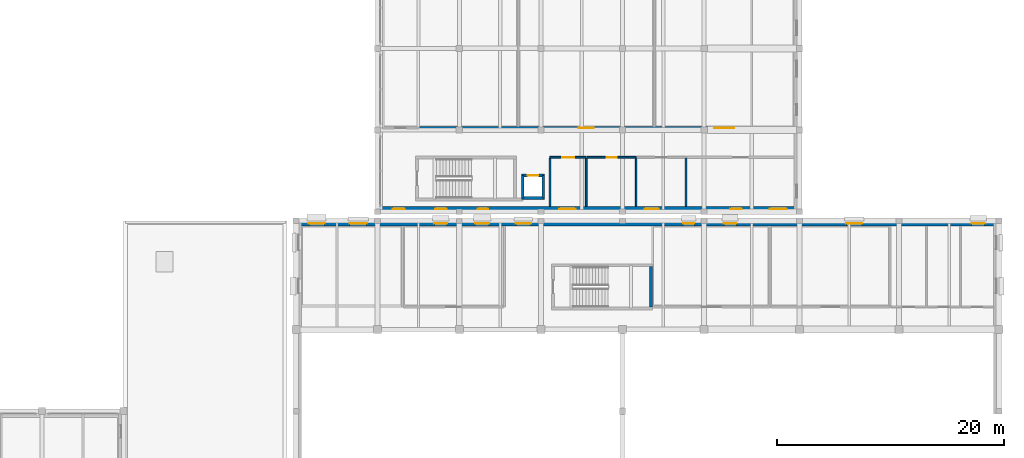
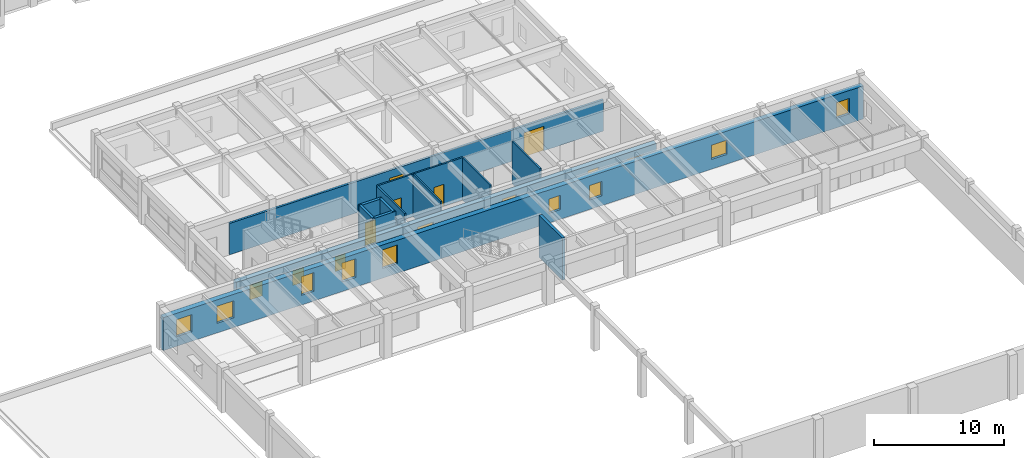
# One storey, part 53 of 67: 16 windows, 14 walls, 5 doors, 21 openings.
"""IFC4 building model written with IfcOpenShell, lengths in metres."""

from ifc_helpers import new_model, si_unit, direction, frame, frame_2d, origin, place, context, subcontext, project, spatial, rectangle, extrude, material, layer, layer_set, type_object, element, fill, save


model = new_model("IFC4")

# Units and contexts
model_context = context("Model", 3, precision=1e-05, world=origin(), true_north=direction((0.0, 1.0)))
body_context = subcontext(model_context, "Body", "Model", "MODEL_VIEW")
ifc_project = project(units=[si_unit("LENGTHUNIT", "METRE"), si_unit("AREAUNIT", "SQUARE_METRE"), si_unit("VOLUMEUNIT", "CUBIC_METRE"), si_unit("PLANEANGLEUNIT", "RADIAN"), si_unit("MASSUNIT", "GRAM", prefix="KILO")], contexts=[model_context])

# Site, building, storey
site_placement = place(None, origin())
site = spatial("IfcSite", under=ifc_project, at=site_placement, CompositionType="ELEMENT")
building_placement = place(site_placement, origin())
building = spatial("IfcBuilding", under=site, at=building_placement, Name="Bramveld Media Centre", CompositionType="ELEMENT")
storey_placement = place(building_placement, frame((0.0, 0.0, 5.39990234375)))
storey = spatial("IfcBuildingStorey", under=building, at=storey_placement, Name="L01", CompositionType="ELEMENT", Elevation=5.39990234375)

# Walls
ifc_material_1 = material(Name="Concrete C40/50 stair & lift core wall", Category="concrete")
ifc_layer_1 = layer(ifc_material_1, 0.25)
ifc_layer_set_1 = layer_set([ifc_layer_1], Name="Concrete C40/50 stair & lift core wall")
wall_type_1 = type_object("IfcWallType", Name="CWALL-SHEAR-250", PredefinedType="SHEAR", material=ifc_layer_set_1)
wall_1_placement = place(storey_placement, frame((155.324951171875, 30.800048828125, 0.0), z_axis=(0.0, 0.0, 1.0), x_axis=(0.0, 1.0, 0.0)))
element("IfcWall", 1, at=wall_1_placement, inside=storey, type_object=wall_type_1, Name="ST-03 L01 stair core shear wall E", PredefinedType="SHEAR", context=body_context, shape_type="SweptSolid", body=[
    extrude(rectangle(XDim=3.550048828125, YDim=0.25, at=frame_2d((1.77490234375, 0.0))), origin(), (0.0, 0.0, 1.0), 3.940185546875),
])
wall_2_placement = place(storey_placement, frame((143.875, 40.39990234375, 0.0), z_axis=(0.0, 0.0, 1.0), x_axis=(1.0, 0.0, 0.0)))
element("IfcWall", 2, at=wall_2_placement, inside=storey, type_object=wall_type_1, Name="PL-06 L01 lift shaft wall S", PredefinedType="SHEAR", context=body_context, shape_type="SweptSolid", body=[
    extrude(rectangle(XDim=2.050048828125, YDim=0.25, at=frame_2d((1.02490234375, 0.0))), origin(), (0.0, 0.0, 1.0), 3.960205078125),
])

# Wall, opening, door
wall_3_placement = place(storey_placement, frame((145.925048828125, 42.39990234375, 0.0), z_axis=(0.0, 0.0, 1.0), x_axis=(-1.0, 0.0, 0.0)))
wall_3 = element("IfcWall", 3, at=wall_3_placement, inside=storey, type_object=wall_type_1, Name="PL-06 L01 lift shaft wall N", PredefinedType="SHEAR", context=body_context, shape_type="SweptSolid", body=[
    extrude(rectangle(XDim=2.050048828125, YDim=0.25, at=frame_2d((1.02490234375, 0.0))), origin(), (0.0, 0.0, 1.0), 3.960205078125),
])
opening_1_placement = place(wall_3_placement, frame((0.550048828125, 0.0, 0.0)))
opening_1 = element("IfcOpeningElement", 4, at=opening_1_placement, cuts=wall_3, Name="Opening LD-03-06-L01", PredefinedType="OPENING", context=body_context, shape_type="SweptSolid", body=[
    extrude(rectangle(XDim=0.949951171875, YDim=2.10009765625, at=frame_2d((0.47509765625, 1.050048828125))), frame((0.0, 0.136962890625, 0.0), z_axis=(0.0, -1.0, 0.0), x_axis=(1.0, 0.0, 0.0)), (0.0, 0.0, 1.0), 0.27392578125),
])
ifc_material_2 = material(Name="Brushed stainless steel automatic fire-rated sliding lift landing door", Category="steel")
door_type_1 = type_object("IfcDoorType", Name="LD-TYPE-03", OperationType="SLIDING_TO_LEFT", PredefinedType="DOOR", material=ifc_material_2)
door_1_placement = place(opening_1_placement, origin())
door_1 = element("IfcDoor", 5, at=door_1_placement, inside=storey, type_object=door_type_1, Name="PL-06 L01 sliding lift landing door", OperationType="SLIDING_TO_LEFT", OverallHeight=2.10009765625, OverallWidth=0.949951171875, PredefinedType="DOOR", context=body_context, shape_type="SweptSolid", body=[
    extrude(rectangle(XDim=0.949951171875, YDim=2.10009765625, at=frame_2d((0.47509765625, 1.050048828125))), frame((0.0, 0.02490234375, 0.0), z_axis=(0.0, -1.0, 0.0), x_axis=(1.0, 0.0, 0.0)), (0.0, 0.0, 1.0), 0.050048828125),
])
fill(opening_1, door_1)

# Walls
for number, where, z_axis, x_axis, name in (
    (6, (144.0, 42.39990234375, 0.0), (0.0, 0.0, 1.0), (0.0, -1.0, 0.0), "PL-06 L01 lift shaft wall W"),
    (7, (145.800048828125, 40.39990234375, 0.0), (0.0, 0.0, 1.0), (0.0, 1.0, 0.0), "PL-06 L01 lift shaft wall E"),
):
    element("IfcWall", number, at=place(storey_placement, frame(where, z_axis=z_axis, x_axis=x_axis)), inside=storey, type_object=wall_type_1, Name=name, PredefinedType="SHEAR", context=body_context, shape_type="SweptSolid", body=[
        extrude(rectangle(XDim=2.0, YDim=0.25, at=frame_2d((1.0, 0.0))), origin(), (0.0, 0.0, 1.0), 3.960205078125),
    ])

# Wall, openings, windows
ifc_material_3 = material(Name="Flemish red-brown clay facing brick cavity wall with concrete C35/45 inner leaf", Category="masonry")
ifc_layer_2 = layer(ifc_material_3, 0.4599609375)
ifc_layer_set_2 = layer_set([ifc_layer_2], Name="Flemish red-brown clay facing brick cavity wall with concrete C35/45 inner leaf")
wall_type_2 = type_object("IfcWallType", Name="EW-BRK-460", PredefinedType="SOLIDWALL", material=ifc_layer_set_2)
wall_4_placement = place(storey_placement, frame((124.0, 38.169921875, 0.0), z_axis=(0.0, 0.0, 1.0), x_axis=(1.0, 0.0, 0.0)))
wall_4 = element("IfcWall", 8, at=wall_4_placement, inside=storey, type_object=wall_type_2, Name="V1 L01 N facing brick exterior wall", PredefinedType="SOLIDWALL", context=body_context, shape_type="SweptSolid", body=[
    extrude(rectangle(XDim=62.0, YDim=0.4599609375, at=frame_2d((31.0, 0.0))), origin(), (0.0, 0.0, 1.0), 3.09521484375),
])
opening_2_placement = place(wall_4_placement, frame((1.133544921875, 0.0, 0.89990234375)))
opening_2 = element("IfcOpeningElement", 9, at=opening_2_placement, cuts=wall_4, Name="Opening W-17", PredefinedType="OPENING", context=body_context, shape_type="SweptSolid", body=[
    extrude(rectangle(XDim=1.3798828125, YDim=1.60009765625, at=frame_2d((0.68994140625, 0.800048828125))), frame((0.0, 0.241943359375, 0.0), z_axis=(0.0, -1.0, 0.0), x_axis=(1.0, 0.0, 0.0)), (0.0, 0.0, 1.0), 0.48388671875),
])
opening_3_placement = place(wall_4_placement, frame((4.720703125, 0.0, 0.89990234375)))
opening_3 = element("IfcOpeningElement", 10, at=opening_3_placement, cuts=wall_4, Name="Opening W-18", PredefinedType="OPENING", context=body_context, shape_type="SweptSolid", body=[
    extrude(rectangle(XDim=1.5, YDim=1.60009765625, at=frame_2d((0.75, 0.800048828125))), frame((0.0, 0.241943359375, 0.0), z_axis=(0.0, -1.0, 0.0), x_axis=(1.0, 0.0, 0.0)), (0.0, 0.0, 1.0), 0.48388671875),
])
opening_4_placement = place(wall_4_placement, frame((12.20458984375, 0.0, 0.89990234375)))
opening_4 = element("IfcOpeningElement", 11, at=opening_4_placement, cuts=wall_4, Name="Opening W-20", PredefinedType="OPENING", context=body_context, shape_type="SweptSolid", body=[
    extrude(rectangle(XDim=1.1201171875, YDim=1.75, at=frame_2d((0.56005859375, 0.875))), frame((0.0, 0.241943359375, 0.0), z_axis=(0.0, -1.0, 0.0), x_axis=(1.0, 0.0, 0.0)), (0.0, 0.0, 1.0), 0.48388671875),
])
opening_5_placement = place(wall_4_placement, frame((15.791748046875, 0.0, 0.89990234375)))
opening_5 = element("IfcOpeningElement", 12, at=opening_5_placement, cuts=wall_4, Name="Opening W-21", PredefinedType="OPENING", context=body_context, shape_type="SweptSolid", body=[
    extrude(rectangle(XDim=1.239990234375, YDim=1.75, at=frame_2d((0.6201171875, 0.875))), frame((0.0, 0.241943359375, 0.0), z_axis=(0.0, -1.0, 0.0), x_axis=(1.0, 0.0, 0.0)), (0.0, 0.0, 1.0), 0.48388671875),
])
opening_6_placement = place(wall_4_placement, frame((19.388916015625, 0.0, 0.89990234375)))
opening_6 = element("IfcOpeningElement", 13, at=opening_6_placement, cuts=wall_4, Name="Opening W-22", PredefinedType="OPENING", context=body_context, shape_type="SweptSolid", body=[
    extrude(rectangle(XDim=1.340087890625, YDim=1.75, at=frame_2d((0.669921875, 0.875))), frame((0.0, 0.241943359375, 0.0), z_axis=(0.0, -1.0, 0.0), x_axis=(1.0, 0.0, 0.0)), (0.0, 0.0, 1.0), 0.48388671875),
])
opening_7_placement = place(wall_4_placement, frame((34.147216796875, 0.0, 0.89990234375)))
opening_7 = element("IfcOpeningElement", 14, at=opening_7_placement, cuts=wall_4, Name="Opening W-02", PredefinedType="OPENING", context=body_context, shape_type="SweptSolid", body=[
    extrude(rectangle(XDim=1.0, YDim=1.35009765625, at=frame_2d((0.5, 0.675048828125))), frame((0.0, 0.241943359375, 0.0), z_axis=(0.0, -1.0, 0.0), x_axis=(1.0, 0.0, 0.0)), (0.0, 0.0, 1.0), 0.48388671875),
])
opening_8_placement = place(wall_4_placement, frame((37.744140625, 0.0, 0.89990234375)))
opening_8 = element("IfcOpeningElement", 15, at=opening_8_placement, cuts=wall_4, Name="Opening W-03", PredefinedType="OPENING", context=body_context, shape_type="SweptSolid", body=[
    extrude(rectangle(XDim=1.10009765625, YDim=1.35009765625, at=frame_2d((0.550048828125, 0.675048828125))), frame((0.0, 0.241943359375, 0.0), z_axis=(0.0, -1.0, 0.0), x_axis=(1.0, 0.0, 0.0)), (0.0, 0.0, 1.0), 0.48388671875),
])
opening_9_placement = place(wall_4_placement, frame((48.535400390625, 0.0, 0.89990234375)))
opening_9 = element("IfcOpeningElement", 16, at=opening_9_placement, cuts=wall_4, Name="Opening W-06", PredefinedType="OPENING", context=body_context, shape_type="SweptSolid", body=[
    extrude(rectangle(XDim=1.39990234375, YDim=1.35009765625, at=frame_2d((0.699951171875, 0.675048828125))), frame((0.0, 0.241943359375, 0.0), z_axis=(0.0, -1.0, 0.0), x_axis=(1.0, 0.0, 0.0)), (0.0, 0.0, 1.0), 0.48388671875),
])
opening_10_placement = place(wall_4_placement, frame((59.6015625, 0.0, 0.89990234375)))
opening_10 = element("IfcOpeningElement", 17, at=opening_10_placement, cuts=wall_4, Name="Opening W-09", PredefinedType="OPENING", context=body_context, shape_type="SweptSolid", body=[
    extrude(rectangle(XDim=1.14990234375, YDim=1.449951171875, at=frame_2d((0.574951171875, 0.72509765625))), frame((0.0, 0.241943359375, 0.0), z_axis=(0.0, -1.0, 0.0), x_axis=(1.0, 0.0, 0.0)), (0.0, 0.0, 1.0), 0.48388671875),
])
ifc_material_4 = material(Name="Thermally broken anodized bronze aluminium frame with triple acoustic glazing", Category="aluminium")
window_type_1 = type_object("IfcWindowType", Name="WIN-FAC-02", PartitioningType="SINGLE_PANEL", PredefinedType="WINDOW", material=ifc_material_4)
window_1_placement = place(opening_7_placement, origin())
window_1 = element("IfcWindow", 18, at=window_1_placement, inside=storey, type_object=window_type_1, Name="V1 L01 N acoustic facade window", OverallHeight=1.35009765625, OverallWidth=1.0, PartitioningType="SINGLE_PANEL", PredefinedType="WINDOW", context=body_context, shape_type="SweptSolid", body=[
    extrude(rectangle(XDim=1.0, YDim=1.35009765625, at=frame_2d((0.5, 0.675048828125))), frame((0.0, 0.030029296875, 0.0), z_axis=(0.0, -1.0, 0.0), x_axis=(1.0, 0.0, 0.0)), (0.0, 0.0, 1.0), 0.06005859375),
])
fill(opening_7, window_1)
ifc_material_5 = material(Name="Thermally broken anodized bronze aluminium frame with triple acoustic glazing", Category="aluminium")
window_type_2 = type_object("IfcWindowType", Name="WIN-FAC-03", PartitioningType="SINGLE_PANEL", PredefinedType="WINDOW", material=ifc_material_5)
window_2_placement = place(opening_8_placement, origin())
window_2 = element("IfcWindow", 19, at=window_2_placement, inside=storey, type_object=window_type_2, Name="V1 L01 N acoustic facade window", OverallHeight=1.35009765625, OverallWidth=1.10009765625, PartitioningType="SINGLE_PANEL", PredefinedType="WINDOW", context=body_context, shape_type="SweptSolid", body=[
    extrude(rectangle(XDim=1.10009765625, YDim=1.35009765625, at=frame_2d((0.550048828125, 0.675048828125))), frame((0.0, 0.030029296875, 0.0), z_axis=(0.0, -1.0, 0.0), x_axis=(1.0, 0.0, 0.0)), (0.0, 0.0, 1.0), 0.06005859375),
])
fill(opening_8, window_2)
ifc_material_6 = material(Name="Thermally broken anodized bronze aluminium frame with triple acoustic glazing", Category="aluminium")
window_type_3 = type_object("IfcWindowType", Name="WIN-FAC-06", PartitioningType="SINGLE_PANEL", PredefinedType="WINDOW", material=ifc_material_6)
window_3_placement = place(opening_9_placement, origin())
window_3 = element("IfcWindow", 20, at=window_3_placement, inside=storey, type_object=window_type_3, Name="V1 L01 N acoustic facade window", OverallHeight=1.35009765625, OverallWidth=1.39990234375, PartitioningType="SINGLE_PANEL", PredefinedType="WINDOW", context=body_context, shape_type="SweptSolid", body=[
    extrude(rectangle(XDim=1.39990234375, YDim=1.35009765625, at=frame_2d((0.699951171875, 0.675048828125))), frame((0.0, 0.030029296875, 0.0), z_axis=(0.0, -1.0, 0.0), x_axis=(1.0, 0.0, 0.0)), (0.0, 0.0, 1.0), 0.06005859375),
])
fill(opening_9, window_3)
ifc_material_7 = material(Name="Thermally broken anodized bronze aluminium frame with triple acoustic glazing", Category="aluminium")
window_type_4 = type_object("IfcWindowType", Name="WIN-FAC-09", PartitioningType="SINGLE_PANEL", PredefinedType="WINDOW", material=ifc_material_7)
window_4_placement = place(opening_10_placement, origin())
window_4 = element("IfcWindow", 21, at=window_4_placement, inside=storey, type_object=window_type_4, Name="V1 L01 N acoustic facade window", OverallHeight=1.449951171875, OverallWidth=1.14990234375, PartitioningType="SINGLE_PANEL", PredefinedType="WINDOW", context=body_context, shape_type="SweptSolid", body=[
    extrude(rectangle(XDim=1.14990234375, YDim=1.449951171875, at=frame_2d((0.574951171875, 0.72509765625))), frame((0.0, 0.030029296875, 0.0), z_axis=(0.0, -1.0, 0.0), x_axis=(1.0, 0.0, 0.0)), (0.0, 0.0, 1.0), 0.06005859375),
])
fill(opening_10, window_4)
ifc_material_8 = material(Name="Thermally broken anodized bronze aluminium frame with triple acoustic glazing", Category="aluminium")
window_type_5 = type_object("IfcWindowType", Name="WIN-FAC-17", PartitioningType="SINGLE_PANEL", PredefinedType="WINDOW", material=ifc_material_8)
window_5_placement = place(opening_2_placement, origin())
window_5 = element("IfcWindow", 22, at=window_5_placement, inside=storey, type_object=window_type_5, Name="V1 L01 N acoustic facade window", OverallHeight=1.60009765625, OverallWidth=1.3798828125, PartitioningType="SINGLE_PANEL", PredefinedType="WINDOW", context=body_context, shape_type="SweptSolid", body=[
    extrude(rectangle(XDim=1.3798828125, YDim=1.60009765625, at=frame_2d((0.68994140625, 0.800048828125))), frame((0.0, 0.030029296875, 0.0), z_axis=(0.0, -1.0, 0.0), x_axis=(1.0, 0.0, 0.0)), (0.0, 0.0, 1.0), 0.06005859375),
])
fill(opening_2, window_5)
ifc_material_9 = material(Name="Thermally broken anodized bronze aluminium frame with triple acoustic glazing", Category="aluminium")
window_type_6 = type_object("IfcWindowType", Name="WIN-FAC-18", PartitioningType="SINGLE_PANEL", PredefinedType="WINDOW", material=ifc_material_9)
window_6_placement = place(opening_3_placement, origin())
window_6 = element("IfcWindow", 23, at=window_6_placement, inside=storey, type_object=window_type_6, Name="V1 L01 N acoustic facade window", OverallHeight=1.60009765625, OverallWidth=1.5, PartitioningType="SINGLE_PANEL", PredefinedType="WINDOW", context=body_context, shape_type="SweptSolid", body=[
    extrude(rectangle(XDim=1.5, YDim=1.60009765625, at=frame_2d((0.75, 0.800048828125))), frame((0.0, 0.030029296875, 0.0), z_axis=(0.0, -1.0, 0.0), x_axis=(1.0, 0.0, 0.0)), (0.0, 0.0, 1.0), 0.06005859375),
])
fill(opening_3, window_6)
ifc_material_10 = material(Name="Thermally broken anodized bronze aluminium frame with triple acoustic glazing", Category="aluminium")
window_type_7 = type_object("IfcWindowType", Name="WIN-FAC-20", PartitioningType="SINGLE_PANEL", PredefinedType="WINDOW", material=ifc_material_10)
window_7_placement = place(opening_4_placement, origin())
window_7 = element("IfcWindow", 24, at=window_7_placement, inside=storey, type_object=window_type_7, Name="V1 L01 N acoustic facade window", OverallHeight=1.75, OverallWidth=1.1201171875, PartitioningType="SINGLE_PANEL", PredefinedType="WINDOW", context=body_context, shape_type="SweptSolid", body=[
    extrude(rectangle(XDim=1.1201171875, YDim=1.75, at=frame_2d((0.56005859375, 0.875))), frame((0.0, 0.030029296875, 0.0), z_axis=(0.0, -1.0, 0.0), x_axis=(1.0, 0.0, 0.0)), (0.0, 0.0, 1.0), 0.06005859375),
])
fill(opening_4, window_7)
ifc_material_11 = material(Name="Thermally broken anodized bronze aluminium frame with triple acoustic glazing", Category="aluminium")
window_type_8 = type_object("IfcWindowType", Name="WIN-FAC-21", PartitioningType="SINGLE_PANEL", PredefinedType="WINDOW", material=ifc_material_11)
window_8_placement = place(opening_5_placement, origin())
window_8 = element("IfcWindow", 25, at=window_8_placement, inside=storey, type_object=window_type_8, Name="V1 L01 N acoustic facade window", OverallHeight=1.75, OverallWidth=1.239990234375, PartitioningType="SINGLE_PANEL", PredefinedType="WINDOW", context=body_context, shape_type="SweptSolid", body=[
    extrude(rectangle(XDim=1.239990234375, YDim=1.75, at=frame_2d((0.6201171875, 0.875))), frame((0.0, 0.030029296875, 0.0), z_axis=(0.0, -1.0, 0.0), x_axis=(1.0, 0.0, 0.0)), (0.0, 0.0, 1.0), 0.06005859375),
])
fill(opening_5, window_8)
ifc_material_12 = material(Name="Thermally broken anodized bronze aluminium frame with triple acoustic glazing", Category="aluminium")
window_type_9 = type_object("IfcWindowType", Name="WIN-FAC-22", PartitioningType="SINGLE_PANEL", PredefinedType="WINDOW", material=ifc_material_12)
window_9_placement = place(opening_6_placement, origin())
window_9 = element("IfcWindow", 26, at=window_9_placement, inside=storey, type_object=window_type_9, Name="V1 L01 N acoustic facade window", OverallHeight=1.75, OverallWidth=1.340087890625, PartitioningType="SINGLE_PANEL", PredefinedType="WINDOW", context=body_context, shape_type="SweptSolid", body=[
    extrude(rectangle(XDim=1.340087890625, YDim=1.75, at=frame_2d((0.669921875, 0.875))), frame((0.0, 0.030029296875, 0.0), z_axis=(0.0, -1.0, 0.0), x_axis=(1.0, 0.0, 0.0)), (0.0, 0.0, 1.0), 0.06005859375),
])
fill(opening_6, window_9)

wall_5_placement = place(storey_placement, frame((168.39990234375, 39.429931640625, 0.0), z_axis=(0.0, 0.0, 1.0), x_axis=(-1.0, 0.0, 0.0)))
wall_5 = element("IfcWall", 27, at=wall_5_placement, inside=storey, type_object=wall_type_2, Name="V4 L01 S facing brick exterior wall", PredefinedType="SOLIDWALL", context=body_context, shape_type="SweptSolid", body=[
    extrude(rectangle(XDim=37.199951171875, YDim=0.4599609375, at=frame_2d((18.60009765625, 0.0))), origin(), (0.0, 0.0, 1.0), 3.114990234375),
])
opening_11_placement = place(wall_5_placement, frame((1.110107421875, 0.0, 0.89990234375)))
opening_11 = element("IfcOpeningElement", 28, at=opening_11_placement, cuts=wall_5, Name="Opening W-18", PredefinedType="OPENING", context=body_context, shape_type="SweptSolid", body=[
    extrude(rectangle(XDim=1.5, YDim=1.60009765625, at=frame_2d((0.75, 0.800048828125))), frame((0.0, 0.241943359375, 0.0), z_axis=(0.0, -1.0, 0.0), x_axis=(1.0, 0.0, 0.0)), (0.0, 0.0, 1.0), 0.48388671875),
])
opening_12_placement = place(wall_5_placement, frame((5.080078125, 0.0, 0.89990234375)))
opening_12 = element("IfcOpeningElement", 29, at=opening_12_placement, cuts=wall_5, Name="Opening W-19", PredefinedType="OPENING", context=body_context, shape_type="SweptSolid", body=[
    extrude(rectangle(XDim=1.0, YDim=1.75, at=frame_2d((0.5, 0.875))), frame((0.0, 0.241943359375, 0.0), z_axis=(0.0, -1.0, 0.0), x_axis=(1.0, 0.0, 0.0)), (0.0, 0.0, 1.0), 0.48388671875),
])
opening_13_placement = place(wall_5_placement, frame((12.39990234375, 0.0, 0.89990234375)))
opening_13 = element("IfcOpeningElement", 30, at=opening_13_placement, cuts=wall_5, Name="Opening W-21", PredefinedType="OPENING", context=body_context, shape_type="SweptSolid", body=[
    extrude(rectangle(XDim=1.239990234375, YDim=1.75, at=frame_2d((0.6201171875, 0.875))), frame((0.0, 0.241943359375, 0.0), z_axis=(0.0, -1.0, 0.0), x_axis=(1.0, 0.0, 0.0)), (0.0, 0.0, 1.0), 0.48388671875),
])
opening_14_placement = place(wall_5_placement, frame((19.739990234375, 0.0, 0.89990234375)))
opening_14 = element("IfcOpeningElement", 31, at=opening_14_placement, cuts=wall_5, Name="Opening W-23", PredefinedType="OPENING", context=body_context, shape_type="SweptSolid", body=[
    extrude(rectangle(XDim=1.43994140625, YDim=1.75, at=frame_2d((0.719970703125, 0.875))), frame((0.0, 0.241943359375, 0.0), z_axis=(0.0, -1.0, 0.0), x_axis=(1.0, 0.0, 0.0)), (0.0, 0.0, 1.0), 0.48388671875),
])
opening_15_placement = place(wall_5_placement, frame((27.449951171875, 0.0, 0.89990234375)))
opening_15 = element("IfcOpeningElement", 32, at=opening_15_placement, cuts=wall_5, Name="Opening W-01", PredefinedType="OPENING", context=body_context, shape_type="SweptSolid", body=[
    extrude(rectangle(XDim=0.89990234375, YDim=1.35009765625, at=frame_2d((0.449951171875, 0.675048828125))), frame((0.0, 0.241943359375, 0.0), z_axis=(0.0, -1.0, 0.0), x_axis=(1.0, 0.0, 0.0)), (0.0, 0.0, 1.0), 0.48388671875),
])
opening_16_placement = place(wall_5_placement, frame((31.1201171875, 0.0, 0.89990234375)))
opening_16 = element("IfcOpeningElement", 33, at=opening_16_placement, cuts=wall_5, Name="Opening W-02", PredefinedType="OPENING", context=body_context, shape_type="SweptSolid", body=[
    extrude(rectangle(XDim=1.0, YDim=1.35009765625, at=frame_2d((0.5, 0.675048828125))), frame((0.0, 0.241943359375, 0.0), z_axis=(0.0, -1.0, 0.0), x_axis=(1.0, 0.0, 0.0)), (0.0, 0.0, 1.0), 0.48388671875),
])
opening_17_placement = place(wall_5_placement, frame((34.7900390625, 0.0, 0.89990234375)))
opening_17 = element("IfcOpeningElement", 34, at=opening_17_placement, cuts=wall_5, Name="Opening W-03", PredefinedType="OPENING", context=body_context, shape_type="SweptSolid", body=[
    extrude(rectangle(XDim=1.10009765625, YDim=1.35009765625, at=frame_2d((0.550048828125, 0.675048828125))), frame((0.0, 0.241943359375, 0.0), z_axis=(0.0, -1.0, 0.0), x_axis=(1.0, 0.0, 0.0)), (0.0, 0.0, 1.0), 0.48388671875),
])
ifc_material_13 = material(Name="Thermally broken anodized bronze aluminium frame with triple acoustic glazing", Category="aluminium")
window_type_10 = type_object("IfcWindowType", Name="WIN-FAC-01", PartitioningType="SINGLE_PANEL", PredefinedType="WINDOW", material=ifc_material_13)
window_10_placement = place(opening_15_placement, origin())
window_10 = element("IfcWindow", 35, at=window_10_placement, inside=storey, type_object=window_type_10, Name="V4 L01 S acoustic facade window", OverallHeight=1.35009765625, OverallWidth=0.89990234375, PartitioningType="SINGLE_PANEL", PredefinedType="WINDOW", context=body_context, shape_type="SweptSolid", body=[
    extrude(rectangle(XDim=0.89990234375, YDim=1.35009765625, at=frame_2d((0.449951171875, 0.675048828125))), frame((0.0, 0.030029296875, 0.0), z_axis=(0.0, -1.0, 0.0), x_axis=(1.0, 0.0, 0.0)), (0.0, 0.0, 1.0), 0.06005859375),
])
fill(opening_15, window_10)
window_11_placement = place(opening_16_placement, origin())
window_11 = element("IfcWindow", 36, at=window_11_placement, inside=storey, type_object=window_type_1, Name="V4 L01 S acoustic facade window", OverallHeight=1.35009765625, OverallWidth=1.0, PartitioningType="SINGLE_PANEL", PredefinedType="WINDOW", context=body_context, shape_type="SweptSolid", body=[
    extrude(rectangle(XDim=1.0, YDim=1.35009765625, at=frame_2d((0.5, 0.675048828125))), frame((0.0, 0.030029296875, 0.0), z_axis=(0.0, -1.0, 0.0), x_axis=(1.0, 0.0, 0.0)), (0.0, 0.0, 1.0), 0.06005859375),
])
fill(opening_16, window_11)
window_12_placement = place(opening_17_placement, origin())
window_12 = element("IfcWindow", 37, at=window_12_placement, inside=storey, type_object=window_type_2, Name="V4 L01 S acoustic facade window", OverallHeight=1.35009765625, OverallWidth=1.10009765625, PartitioningType="SINGLE_PANEL", PredefinedType="WINDOW", context=body_context, shape_type="SweptSolid", body=[
    extrude(rectangle(XDim=1.10009765625, YDim=1.35009765625, at=frame_2d((0.550048828125, 0.675048828125))), frame((0.0, 0.030029296875, 0.0), z_axis=(0.0, -1.0, 0.0), x_axis=(1.0, 0.0, 0.0)), (0.0, 0.0, 1.0), 0.06005859375),
])
fill(opening_17, window_12)
window_13_placement = place(opening_11_placement, origin())
window_13 = element("IfcWindow", 38, at=window_13_placement, inside=storey, type_object=window_type_6, Name="V4 L01 S acoustic facade window", OverallHeight=1.60009765625, OverallWidth=1.5, PartitioningType="SINGLE_PANEL", PredefinedType="WINDOW", context=body_context, shape_type="SweptSolid", body=[
    extrude(rectangle(XDim=1.5, YDim=1.60009765625, at=frame_2d((0.75, 0.800048828125))), frame((0.0, 0.030029296875, 0.0), z_axis=(0.0, -1.0, 0.0), x_axis=(1.0, 0.0, 0.0)), (0.0, 0.0, 1.0), 0.06005859375),
])
fill(opening_11, window_13)
ifc_material_14 = material(Name="Thermally broken anodized bronze aluminium frame with triple acoustic glazing", Category="aluminium")
window_type_11 = type_object("IfcWindowType", Name="WIN-FAC-19", PartitioningType="SINGLE_PANEL", PredefinedType="WINDOW", material=ifc_material_14)
window_14_placement = place(opening_12_placement, origin())
window_14 = element("IfcWindow", 39, at=window_14_placement, inside=storey, type_object=window_type_11, Name="V4 L01 S acoustic facade window", OverallHeight=1.75, OverallWidth=1.0, PartitioningType="SINGLE_PANEL", PredefinedType="WINDOW", context=body_context, shape_type="SweptSolid", body=[
    extrude(rectangle(XDim=1.0, YDim=1.75, at=frame_2d((0.5, 0.875))), frame((0.0, 0.030029296875, 0.0), z_axis=(0.0, -1.0, 0.0), x_axis=(1.0, 0.0, 0.0)), (0.0, 0.0, 1.0), 0.06005859375),
])
fill(opening_12, window_14)
window_15_placement = place(opening_13_placement, origin())
window_15 = element("IfcWindow", 40, at=window_15_placement, inside=storey, type_object=window_type_8, Name="V4 L01 S acoustic facade window", OverallHeight=1.75, OverallWidth=1.239990234375, PartitioningType="SINGLE_PANEL", PredefinedType="WINDOW", context=body_context, shape_type="SweptSolid", body=[
    extrude(rectangle(XDim=1.239990234375, YDim=1.75, at=frame_2d((0.6201171875, 0.875))), frame((0.0, 0.030029296875, 0.0), z_axis=(0.0, -1.0, 0.0), x_axis=(1.0, 0.0, 0.0)), (0.0, 0.0, 1.0), 0.06005859375),
])
fill(opening_13, window_15)
ifc_material_15 = material(Name="Thermally broken anodized bronze aluminium frame with triple acoustic glazing", Category="aluminium")
window_type_12 = type_object("IfcWindowType", Name="WIN-FAC-23", PartitioningType="SINGLE_PANEL", PredefinedType="WINDOW", material=ifc_material_15)
window_16_placement = place(opening_14_placement, origin())
window_16 = element("IfcWindow", 41, at=window_16_placement, inside=storey, type_object=window_type_12, Name="V4 L01 S acoustic facade window", OverallHeight=1.75, OverallWidth=1.43994140625, PartitioningType="SINGLE_PANEL", PredefinedType="WINDOW", context=body_context, shape_type="SweptSolid", body=[
    extrude(rectangle(XDim=1.43994140625, YDim=1.75, at=frame_2d((0.719970703125, 0.875))), frame((0.0, 0.030029296875, 0.0), z_axis=(0.0, -1.0, 0.0), x_axis=(1.0, 0.0, 0.0)), (0.0, 0.0, 1.0), 0.06005859375),
])
fill(opening_14, window_16)

# Wall, openings, doors
ifc_material_16 = material(Name="Acoustic calcium-silicate & mineral-wool compartment partition", Category="masonry")
ifc_layer_3 = layer(ifc_material_16, 0.199951171875)
ifc_layer_set_3 = layer_set([ifc_layer_3], Name="Acoustic calcium-silicate & mineral-wool compartment partition")
wall_type_3 = type_object("IfcWallType", Name="IW-ACOU-200", PredefinedType="PARTITIONING", material=ifc_layer_set_3)
wall_6_placement = place(storey_placement, frame((134.800048828125, 46.60009765625, 0.0), z_axis=(0.0, 0.0, 1.0), x_axis=(1.0, 0.0, 0.0)))
wall_6 = element("IfcWall", 42, at=wall_6_placement, inside=storey, type_object=wall_type_3, Name="Colour-Timing Suite Corridor partition wall", PredefinedType="PARTITIONING", context=body_context, shape_type="SweptSolid", body=[
    extrude(rectangle(XDim=33.1298828125, YDim=0.199951171875, at=frame_2d((16.56494140625, 0.0))), origin(), (0.0, 0.0, 1.0), 2.93505859375),
])
opening_18_placement = place(wall_6_placement, frame((14.159912109375, 0.0, 0.0)))
opening_18 = element("IfcOpeningElement", 43, at=opening_18_placement, cuts=wall_6, Name="Opening D-01-069", PredefinedType="OPENING", context=body_context, shape_type="SweptSolid", body=[
    extrude(rectangle(XDim=1.280029296875, YDim=2.199951171875, at=frame_2d((0.64013671875, 1.10009765625))), frame((0.0, 0.11181640625, 0.0), z_axis=(0.0, -1.0, 0.0), x_axis=(1.0, 0.0, 0.0)), (0.0, 0.0, 1.0), 0.223876953125),
])
opening_19_placement = place(wall_6_placement, frame((26.0849609375, 0.0, 0.0)))
opening_19 = element("IfcOpeningElement", 44, at=opening_19_placement, cuts=wall_6, Name="Opening D-01-070", PredefinedType="OPENING", context=body_context, shape_type="SweptSolid", body=[
    extrude(rectangle(XDim=1.760009765625, YDim=2.300048828125, at=frame_2d((0.8798828125, 1.14990234375))), frame((0.0, 0.11181640625, 0.0), z_axis=(0.0, -1.0, 0.0), x_axis=(1.0, 0.0, 0.0)), (0.0, 0.0, 1.0), 0.223876953125),
])
ifc_material_17 = material(Name="Fire-rated acoustic timber & steel composite door", Category="steel")
door_type_2 = type_object("IfcDoorType", Name="DR-HALL-1760", OperationType="NOTDEFINED", PredefinedType="DOOR", material=ifc_material_17)
door_2_placement = place(opening_19_placement, origin())
door_2 = element("IfcDoor", 45, at=door_2_placement, inside=storey, type_object=door_type_2, Name="Non-Linear Editing Suites 1-4 entrance door", OperationType="DOUBLE_DOOR_SINGLE_SWING", OverallHeight=2.300048828125, OverallWidth=1.760009765625, PredefinedType="DOOR", context=body_context, shape_type="SweptSolid", body=[
    extrude(rectangle(XDim=1.760009765625, YDim=2.300048828125, at=frame_2d((0.8798828125, 1.14990234375))), frame((0.0, 0.02490234375, 0.0), z_axis=(0.0, -1.0, 0.0), x_axis=(1.0, 0.0, 0.0)), (0.0, 0.0, 1.0), 0.050048828125),
])
fill(opening_19, door_2)
ifc_material_18 = material(Name="Fire-rated acoustic timber & steel composite door", Category="steel")
door_type_3 = type_object("IfcDoorType", Name="DR-STU-1280", OperationType="NOTDEFINED", PredefinedType="DOOR", material=ifc_material_18)
door_3_placement = place(opening_18_placement, origin())
door_3 = element("IfcDoor", 46, at=door_3_placement, inside=storey, type_object=door_type_3, Name="DI Colour-Timing Studio 2 entrance door", OperationType="SINGLE_SWING_LEFT", OverallHeight=2.199951171875, OverallWidth=1.280029296875, PredefinedType="DOOR", context=body_context, shape_type="SweptSolid", body=[
    extrude(rectangle(XDim=1.280029296875, YDim=2.199951171875, at=frame_2d((0.64013671875, 1.10009765625))), frame((0.0, 0.02490234375, 0.0), z_axis=(0.0, -1.0, 0.0), x_axis=(1.0, 0.0, 0.0)), (0.0, 0.0, 1.0), 0.050048828125),
])
fill(opening_18, door_3)

# Wall, opening, door
ifc_material_19 = material(Name="Moisture-resistant cement-board sanitary partition", Category="gypsum")
ifc_layer_4 = layer(ifc_material_19, 0.139892578125)
ifc_layer_set_4 = layer_set([ifc_layer_4], Name="Moisture-resistant cement-board sanitary partition")
wall_type_4 = type_object("IfcWallType", Name="IW-WET-140", PredefinedType="PARTITIONING", material=ifc_layer_set_4)
wall_7_placement = place(storey_placement, frame((146.39990234375, 44.0, 0.0), z_axis=(0.0, 0.0, 1.0), x_axis=(1.0, 0.0, 0.0)))
wall_7 = element("IfcWall", 47, at=wall_7_placement, inside=storey, type_object=wall_type_4, Name="Accessible WC partition wall", PredefinedType="PARTITIONING", context=body_context, shape_type="SweptSolid", body=[
    extrude(rectangle(XDim=3.2001953125, YDim=0.139892578125, at=frame_2d((1.60009765625, 0.0))), origin(), (0.0, 0.0, 1.0), 3.960205078125),
])
opening_20_placement = place(wall_7_placement, frame((1.070068359375, 0.0, 0.0)))
opening_20 = element("IfcOpeningElement", 48, at=opening_20_placement, cuts=wall_7, Name="Opening D-01-071", PredefinedType="OPENING", context=body_context, shape_type="SweptSolid", body=[
    extrude(rectangle(XDim=1.06005859375, YDim=2.10009765625, at=frame_2d((0.530029296875, 1.050048828125))), frame((0.0, 0.08203125, 0.0), z_axis=(0.0, -1.0, 0.0), x_axis=(1.0, 0.0, 0.0)), (0.0, 0.0, 1.0), 0.163818359375),
])
ifc_material_20 = material(Name="Solid-core European oak acoustic timber leaf in steel frame", Category="steel")
door_type_4 = type_object("IfcDoorType", Name="DR-WC-PMR-1060", OperationType="NOTDEFINED", PredefinedType="DOOR", material=ifc_material_20)
door_4_placement = place(opening_20_placement, origin())
door_4 = element("IfcDoor", 49, at=door_4_placement, inside=storey, type_object=door_type_4, Name="Accessible WC entrance door", OperationType="SINGLE_SWING_RIGHT", OverallHeight=2.10009765625, OverallWidth=1.06005859375, PredefinedType="DOOR", context=body_context, shape_type="SweptSolid", body=[
    extrude(rectangle(XDim=1.06005859375, YDim=2.10009765625, at=frame_2d((0.530029296875, 1.050048828125))), frame((0.0, 0.02490234375, 0.0), z_axis=(0.0, -1.0, 0.0), x_axis=(1.0, 0.0, 0.0)), (0.0, 0.0, 1.0), 0.050048828125),
])
fill(opening_20, door_4)

# Walls
for number, where, z_axis, x_axis, name in (
    (50, (146.39990234375, 39.669921875, 0.0), (0.0, 0.0, 1.0), (0.0, 1.0, 0.0), "Accessible WC partition wall"),
    (51, (149.60009765625, 39.669921875, 0.0), (0.0, 0.0, 1.0), (0.0, 1.0, 0.0), "Accessible WC partition wall"),
):
    element("IfcWall", number, at=place(storey_placement, frame(where, z_axis=z_axis, x_axis=x_axis)), inside=storey, type_object=wall_type_4, Name=name, PredefinedType="PARTITIONING", context=body_context, shape_type="SweptSolid", body=[
        extrude(rectangle(XDim=4.25, YDim=0.139892578125, at=frame_2d((2.125, 0.0))), origin(), (0.0, 0.0, 1.0), 3.960205078125),
    ])

# Wall, opening, door
wall_8_placement = place(storey_placement, frame((149.679931640625, 44.0, 0.0), z_axis=(0.0, 0.0, 1.0), x_axis=(1.0, 0.0, 0.0)))
wall_8 = element("IfcWall", 52, at=wall_8_placement, inside=storey, type_object=wall_type_4, Name="Male WC partition wall", PredefinedType="PARTITIONING", context=body_context, shape_type="SweptSolid", body=[
    extrude(rectangle(XDim=4.320068359375, YDim=0.139892578125, at=frame_2d((2.16015625, 0.0))), origin(), (0.0, 0.0, 1.0), 3.960205078125),
])
opening_21_placement = place(wall_8_placement, frame((1.715087890625, 0.0, 0.0)))
opening_21 = element("IfcOpeningElement", 53, at=opening_21_placement, cuts=wall_8, Name="Opening D-01-072", PredefinedType="OPENING", context=body_context, shape_type="SweptSolid", body=[
    extrude(rectangle(XDim=0.889892578125, YDim=2.050048828125, at=frame_2d((0.44482421875, 1.02490234375))), frame((0.0, 0.08203125, 0.0), z_axis=(0.0, -1.0, 0.0), x_axis=(1.0, 0.0, 0.0)), (0.0, 0.0, 1.0), 0.163818359375),
])
ifc_material_21 = material(Name="Solid-core European oak acoustic timber leaf in steel frame", Category="steel")
door_type_5 = type_object("IfcDoorType", Name="DR-WC-0890", OperationType="NOTDEFINED", PredefinedType="DOOR", material=ifc_material_21)
door_5_placement = place(opening_21_placement, origin())
door_5 = element("IfcDoor", 54, at=door_5_placement, inside=storey, type_object=door_type_5, Name="Male WC entrance door", OperationType="SINGLE_SWING_LEFT", OverallHeight=2.050048828125, OverallWidth=0.889892578125, PredefinedType="DOOR", context=body_context, shape_type="SweptSolid", body=[
    extrude(rectangle(XDim=0.889892578125, YDim=2.050048828125, at=frame_2d((0.44482421875, 1.02490234375))), frame((0.0, 0.02490234375, 0.0), z_axis=(0.0, -1.0, 0.0), x_axis=(1.0, 0.0, 0.0)), (0.0, 0.0, 1.0), 0.050048828125),
])
fill(opening_21, door_5)

# Walls
for number, where, z_axis, x_axis, name in (
    (55, (154.0, 39.669921875, 0.0), (0.0, 0.0, 1.0), (0.0, 1.0, 0.0), "Male WC partition wall"),
    (56, (158.39990234375, 39.669921875, 0.0), (0.0, 0.0, 1.0), (0.0, 1.0, 0.0), "Female WC partition wall"),
):
    element("IfcWall", number, at=place(storey_placement, frame(where, z_axis=z_axis, x_axis=x_axis)), inside=storey, type_object=wall_type_4, Name=name, PredefinedType="PARTITIONING", context=body_context, shape_type="SweptSolid", body=[
        extrude(rectangle(XDim=4.25, YDim=0.139892578125, at=frame_2d((2.125, 0.0))), origin(), (0.0, 0.0, 1.0), 3.960205078125),
    ])

save(model, "model.ifc")
